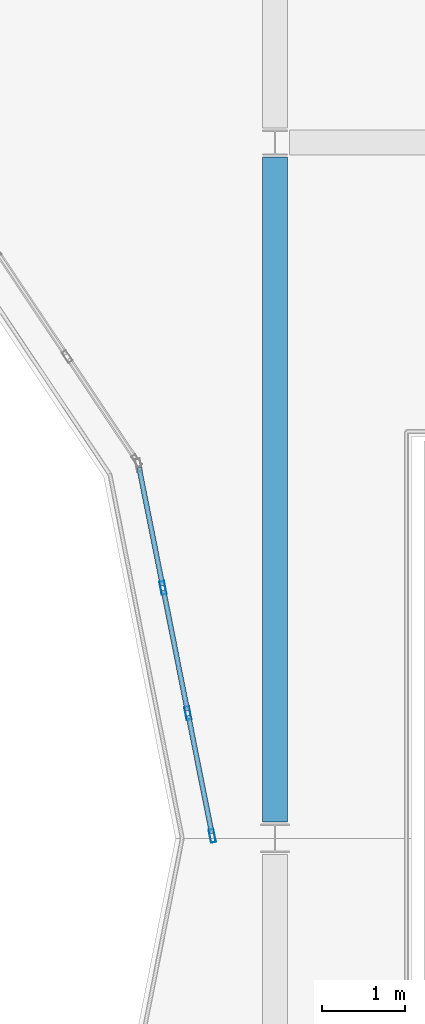
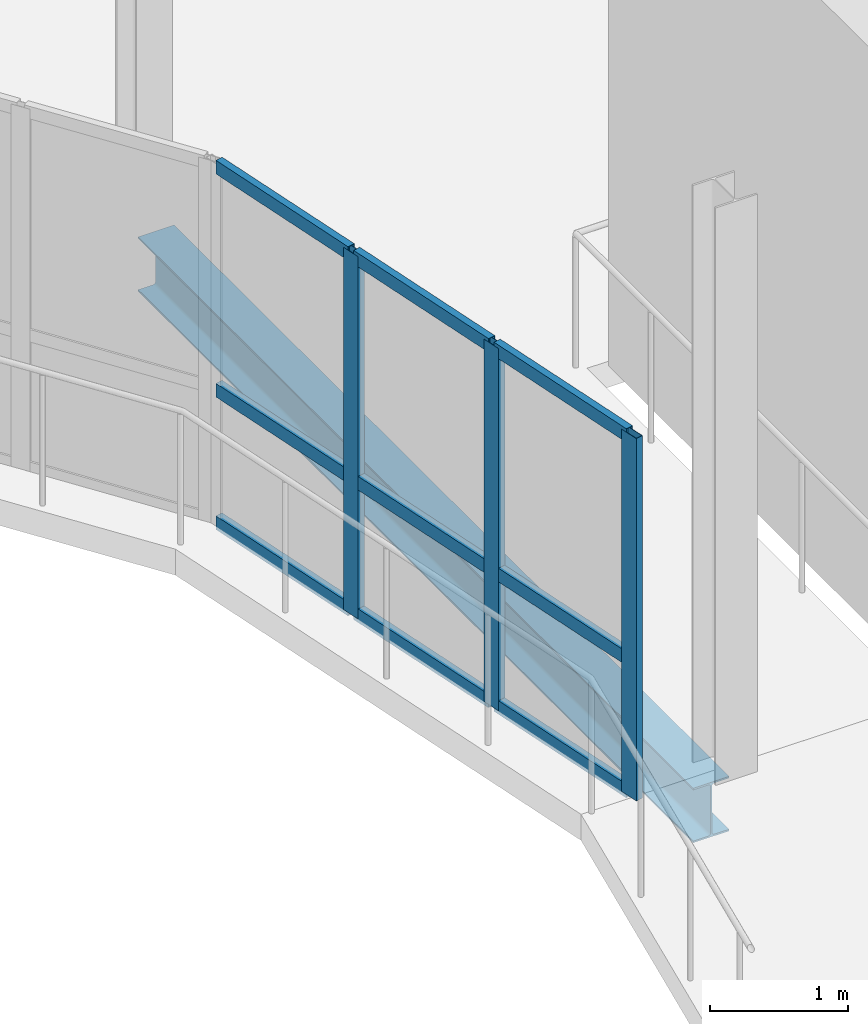
# One storey, part 26 of 91: 12 members, 1 beam, 1 element without a shape of its own.
"""IFC4 building model written with IfcOpenShell, lengths in metres."""

from ifc_helpers import new_model, si_unit, direction, frame, origin, origin_2d, place, context, subcontext, project, spatial, hollow_rectangle, i_section, extrude, material, layer, layer_set, material_profile, profile_set, type_object, element, aggregate, save


model = new_model("IFC4")

# Units and contexts
model_context = context("Model", 3, precision=1e-05, world=origin(), true_north=direction((0.0, 1.0)))
body_context = subcontext(model_context, "Body", "Model", "MODEL_VIEW")
ifc_project = project(units=[si_unit("LENGTHUNIT", "METRE"), si_unit("AREAUNIT", "SQUARE_METRE"), si_unit("VOLUMEUNIT", "CUBIC_METRE"), si_unit("PLANEANGLEUNIT", "RADIAN"), si_unit("MASSUNIT", "GRAM", prefix="KILO"), si_unit("THERMODYNAMICTEMPERATUREUNIT", "KELVIN")], contexts=[model_context])

# Site, building, storey
site_placement = place(None, origin())
site = spatial("IfcSite", under=ifc_project, at=site_placement, CompositionType="ELEMENT")
building_placement = place(site_placement, origin())
building = spatial("IfcBuilding", under=site, at=building_placement, Name="Lustrewick Department Store", CompositionType="ELEMENT")
storey_placement = place(building_placement, frame((0.0, 0.0, 21.60009765625)))
storey = spatial("IfcBuildingStorey", under=building, at=storey_placement, Name="L05", CompositionType="ELEMENT", Elevation=21.60009765625)

# Curtain wall, members
ifc_material_1 = material(Name="Thermally broken aluminium 6063-T5", Category="aluminium")
ifc_layer = layer(ifc_material_1, 0.159912109375, Name="Thermally broken aluminium 6063-T5")
ifc_layer_set = layer_set([ifc_layer], Name="Thermally broken aluminium 6063-T5")
curtain_wall_type = type_object("IfcCurtainWallType", Name="CW17", PredefinedType="NOTDEFINED", material=ifc_layer_set)
curtain_wall_placement = place(storey_placement, origin())
curtain_wall = element("IfcCurtainWall", 1, at=curtain_wall_placement, inside=storey, type_object=curtain_wall_type, Name="L05 Atrium Glazed Screen CW17", PredefinedType="NOTDEFINED")
ifc_material_profile_1 = material_profile(ifc_material_1, hollow_rectangle(XDim=0.06005859375, YDim=0.159912109375, WallThickness=0.00390625, at=origin_2d()), Name="ALU-M 60x160x4")
ifc_profile_set_1 = profile_set([ifc_material_profile_1], Name="Thermally broken aluminium 6063-T5")
member_type_1 = type_object("IfcMemberType", Name="CW17-M1", PredefinedType="MULLION", material=ifc_profile_set_1)
member_1_placement = place(storey_placement, frame((41.244140625, 67.2294921875, 0.0), z_axis=(0.0, 0.0, 1.0), x_axis=(-0.980786430993, -0.195084537521, 0.0)))
member_1 = element("IfcMember", 2, at=member_1_placement, type_object=member_type_1, Name="CW17 mullion 1", PredefinedType="MULLION", context=body_context, shape_type="SweptSolid", body=[
    extrude(hollow_rectangle(XDim=0.06005859375, YDim=0.159912109375, WallThickness=0.00390625, at=origin_2d()), origin(), (0.0, 0.0, 1.0), 3.199951171875),
])
member_2_placement = place(storey_placement, frame((40.94921875, 68.711669921875, 0.0), z_axis=(0.0, 0.0, 1.0), x_axis=(-0.980786430993, -0.195084537521, 0.0)))
member_2 = element("IfcMember", 3, at=member_2_placement, type_object=member_type_1, Name="CW17 mullion 2", PredefinedType="MULLION", context=body_context, shape_type="SweptSolid", body=[
    extrude(hollow_rectangle(XDim=0.06005859375, YDim=0.159912109375, WallThickness=0.00390625, at=origin_2d()), origin(), (0.0, 0.0, 1.0), 3.199951171875),
])
member_3_placement = place(storey_placement, frame((40.648681640625, 70.22314453125, 0.0), z_axis=(0.0, 0.0, 1.0), x_axis=(-0.980786430993, -0.195084537521, 0.0)))
member_3 = element("IfcMember", 4, at=member_3_placement, type_object=member_type_1, Name="CW17 mullion 3", PredefinedType="MULLION", context=body_context, shape_type="SweptSolid", body=[
    extrude(hollow_rectangle(XDim=0.06005859375, YDim=0.159912109375, WallThickness=0.00390625, at=origin_2d()), origin(), (0.0, 0.0, 1.0), 3.199951171875),
])
ifc_material_profile_2 = material_profile(ifc_material_1, hollow_rectangle(XDim=0.06005859375, YDim=0.1201171875, WallThickness=0.00341796875, at=origin_2d()), Name="ALU-T 60x120x3.5")
ifc_profile_set_2 = profile_set([ifc_material_profile_2], Name="Thermally broken aluminium 6063-T5")
member_type_2 = type_object("IfcMemberType", Name="CW17-T1", PredefinedType="USERDEFINED", material=ifc_profile_set_2)
member_4_placement = place(storey_placement, frame((41.23828125, 67.2587890625, 0.02978515625), z_axis=(-0.195145487909, 0.980774305612, 0.0), x_axis=(-0.980774305612, -0.195145487909, 0.0)))
member_4 = element("IfcMember", 5, at=member_4_placement, type_object=member_type_2, Name="CW17 transom 1.1", ObjectType="TRANSOM", PredefinedType="USERDEFINED", context=body_context, shape_type="SweptSolid", body=[
    extrude(hollow_rectangle(XDim=0.06005859375, YDim=0.1201171875, WallThickness=0.00341796875, at=origin_2d()), origin(), (0.0, 0.0, 1.0), 1.451171875),
])
member_5_placement = place(storey_placement, frame((41.23828125, 67.2587890625, 1.199951171875), z_axis=(-0.195145487909, 0.980774305612, 0.0), x_axis=(-0.980774305612, -0.195145487909, 0.0)))
member_5 = element("IfcMember", 6, at=member_5_placement, type_object=member_type_2, Name="CW17 transom 1.2", ObjectType="TRANSOM", PredefinedType="USERDEFINED", context=body_context, shape_type="SweptSolid", body=[
    extrude(hollow_rectangle(XDim=0.06005859375, YDim=0.1201171875, WallThickness=0.00341796875, at=origin_2d()), origin(), (0.0, 0.0, 1.0), 1.451171875),
])
member_6_placement = place(storey_placement, frame((41.23828125, 67.2587890625, 3.169921875), z_axis=(-0.195145487909, 0.980774305612, 0.0), x_axis=(-0.980774305612, -0.195145487909, 0.0)))
member_6 = element("IfcMember", 7, at=member_6_placement, type_object=member_type_2, Name="CW17 transom 1.3", ObjectType="TRANSOM", PredefinedType="USERDEFINED", context=body_context, shape_type="SweptSolid", body=[
    extrude(hollow_rectangle(XDim=0.06005859375, YDim=0.1201171875, WallThickness=0.00341796875, at=origin_2d()), origin(), (0.0, 0.0, 1.0), 1.451171875),
])
member_7_placement = place(storey_placement, frame((40.943359375, 68.740966796875, 0.02978515625), z_axis=(-0.194974982249, 0.980808215859, 0.0), x_axis=(-0.980808215859, -0.194974982249, 0.0)))
member_7 = element("IfcMember", 8, at=member_7_placement, type_object=member_type_2, Name="CW17 transom 2.1", ObjectType="TRANSOM", PredefinedType="USERDEFINED", context=body_context, shape_type="SweptSolid", body=[
    extrude(hollow_rectangle(XDim=0.06005859375, YDim=0.1201171875, WallThickness=0.00341796875, at=origin_2d()), origin(), (0.0, 0.0, 1.0), 1.481201171875),
])
member_8_placement = place(storey_placement, frame((40.943359375, 68.740966796875, 1.199951171875), z_axis=(-0.194974982249, 0.980808215859, 0.0), x_axis=(-0.980808215859, -0.194974982249, 0.0)))
member_8 = element("IfcMember", 9, at=member_8_placement, type_object=member_type_2, Name="CW17 transom 2.2", ObjectType="TRANSOM", PredefinedType="USERDEFINED", context=body_context, shape_type="SweptSolid", body=[
    extrude(hollow_rectangle(XDim=0.06005859375, YDim=0.1201171875, WallThickness=0.00341796875, at=origin_2d()), origin(), (0.0, 0.0, 1.0), 1.481201171875),
])
member_9_placement = place(storey_placement, frame((40.943359375, 68.740966796875, 3.169921875), z_axis=(-0.194974982249, 0.980808215859, 0.0), x_axis=(-0.980808215859, -0.194974982249, 0.0)))
member_9 = element("IfcMember", 10, at=member_9_placement, type_object=member_type_2, Name="CW17 transom 2.3", ObjectType="TRANSOM", PredefinedType="USERDEFINED", context=body_context, shape_type="SweptSolid", body=[
    extrude(hollow_rectangle(XDim=0.06005859375, YDim=0.1201171875, WallThickness=0.00341796875, at=origin_2d()), origin(), (0.0, 0.0, 1.0), 1.481201171875),
])
member_10_placement = place(storey_placement, frame((40.642822265625, 70.252685546875, 0.02978515625), z_axis=(-0.195145487909, 0.980774305612, 0.0), x_axis=(-0.980774305612, -0.195145487909, 0.0)))
member_10 = element("IfcMember", 11, at=member_10_placement, type_object=member_type_2, Name="CW17 transom 3.1", ObjectType="TRANSOM", PredefinedType="USERDEFINED", context=body_context, shape_type="SweptSolid", body=[
    extrude(hollow_rectangle(XDim=0.06005859375, YDim=0.1201171875, WallThickness=0.00341796875, at=origin_2d()), origin(), (0.0, 0.0, 1.0), 1.451171875),
])
member_11_placement = place(storey_placement, frame((40.642822265625, 70.252685546875, 1.199951171875), z_axis=(-0.195145487909, 0.980774305612, 0.0), x_axis=(-0.980774305612, -0.195145487909, 0.0)))
member_11 = element("IfcMember", 12, at=member_11_placement, type_object=member_type_2, Name="CW17 transom 3.2", ObjectType="TRANSOM", PredefinedType="USERDEFINED", context=body_context, shape_type="SweptSolid", body=[
    extrude(hollow_rectangle(XDim=0.06005859375, YDim=0.1201171875, WallThickness=0.00341796875, at=origin_2d()), origin(), (0.0, 0.0, 1.0), 1.451171875),
])
member_12_placement = place(storey_placement, frame((40.642822265625, 70.252685546875, 3.169921875), z_axis=(-0.195145487909, 0.980774305612, 0.0), x_axis=(-0.980774305612, -0.195145487909, 0.0)))
member_12 = element("IfcMember", 13, at=member_12_placement, type_object=member_type_2, Name="CW17 transom 3.3", ObjectType="TRANSOM", PredefinedType="USERDEFINED", context=body_context, shape_type="SweptSolid", body=[
    extrude(hollow_rectangle(XDim=0.06005859375, YDim=0.1201171875, WallThickness=0.00341796875, at=origin_2d()), origin(), (0.0, 0.0, 1.0), 1.451171875),
])
aggregate(curtain_wall, [member_1, member_2, member_3, member_4, member_5, member_6, member_7, member_8, member_9, member_10, member_11, member_12])

# Beam
ifc_material_2 = material(Name="Structural steel Q355B", Category="steel")
ifc_material_profile_3 = material_profile(ifc_material_2, i_section(OverallWidth=0.300048828125, OverallDepth=0.48193359375, WebThickness=0.010986328125, FlangeThickness=0.014892578125, FilletRadius=0.02197265625, at=origin_2d()), Name="HM 482x300x11x15")
ifc_profile_set_3 = profile_set([ifc_material_profile_3], Name="Structural steel Q355B")
beam_type = type_object("IfcBeamType", Name="G20", PredefinedType="BEAM", material=ifc_profile_set_3)
beam_placement = place(storey_placement, frame((42.0, 67.39404296875, -0.49609375), z_axis=(0.0, 1.0, 0.0), x_axis=(-1.0, 0.0, 0.0)))
element("IfcBeam", 14, at=beam_placement, inside=storey, type_object=beam_type, Name="L05 V1 Girder G20", PredefinedType="BEAM", context=body_context, shape_type="SweptSolid", body=[
    extrude(i_section(OverallWidth=0.300048828125, OverallDepth=0.48193359375, WebThickness=0.010986328125, FlangeThickness=0.014892578125, FilletRadius=0.02197265625, at=origin_2d()), origin(), (0.0, 0.0, 1.0), 8.031005859375),
])

save(model, "model.ifc")
